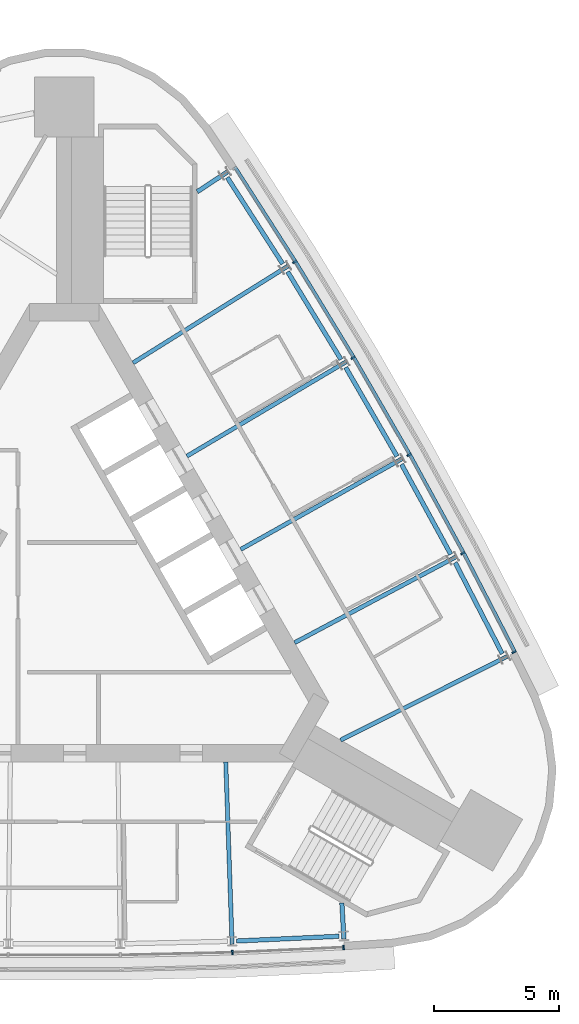
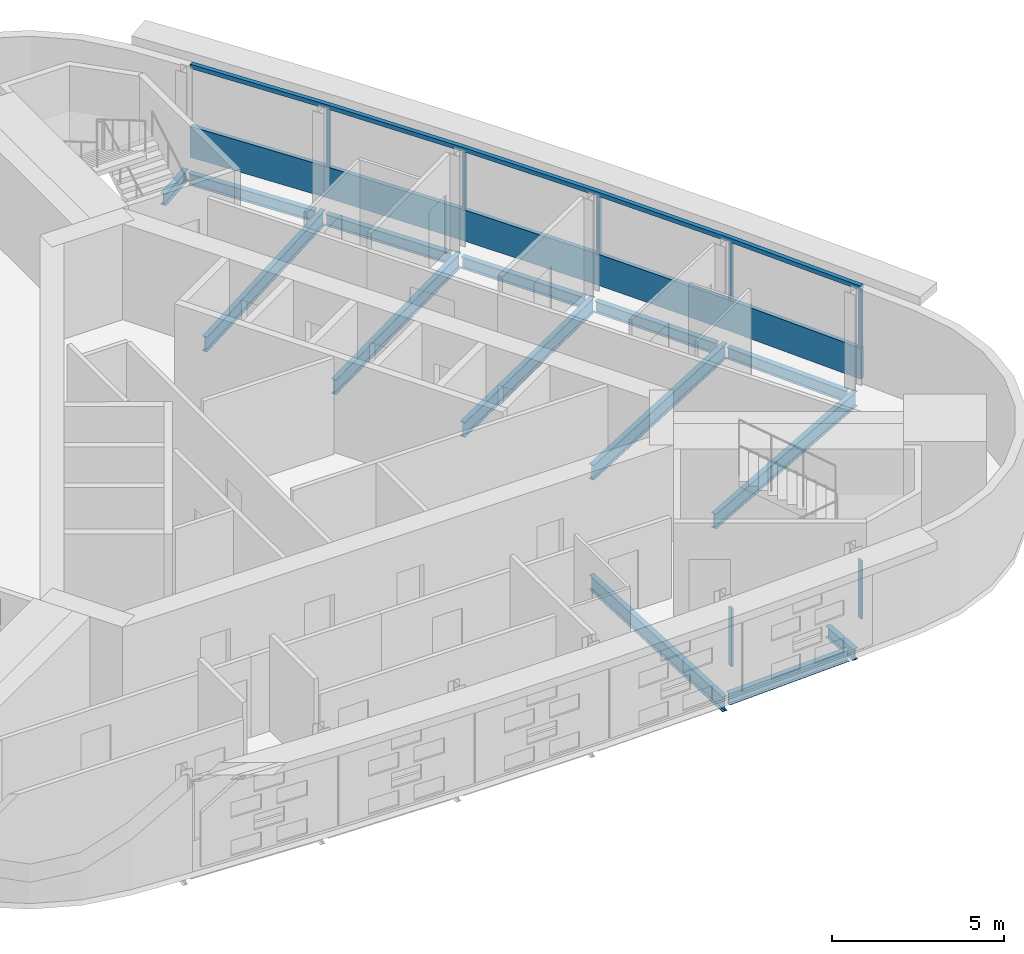
# One storey, part 6 of 13: 14 beams, 9 members, 2 elements without a shape of their own.
"""IFC4 building model written with IfcOpenShell, lengths in metres."""

from ifc_helpers import new_model, si_unit, direction, frame, origin, origin_2d, place, context, subcontext, project, spatial, polyline, rectangle, i_section, outline, extrude, material, material_profile, profile_set, type_object, element, aggregate, save


model = new_model("IFC4")

# Units and contexts
model_context = context("Model", 3, precision=1e-05, world=origin(), true_north=direction((0.0, 1.0)))
body_context = subcontext(model_context, "Body", "Model", "MODEL_VIEW")
ifc_project = project(units=[si_unit("LENGTHUNIT", "METRE"), si_unit("AREAUNIT", "SQUARE_METRE"), si_unit("VOLUMEUNIT", "CUBIC_METRE"), si_unit("PLANEANGLEUNIT", "RADIAN"), si_unit("MASSUNIT", "GRAM", prefix="KILO")], contexts=[model_context])

# Site, building, storey
site_placement = place(None, origin())
site = spatial("IfcSite", under=ifc_project, at=site_placement, CompositionType="ELEMENT")
building_placement = place(site_placement, origin())
building = spatial("IfcBuilding", under=site, at=building_placement, Name="Noor Cloister Tower", CompositionType="ELEMENT")
storey_placement = place(building_placement, frame((0.0, 0.0, 270.60009765625)))
storey = spatial("IfcBuildingStorey", under=building, at=storey_placement, Name="L69", CompositionType="ELEMENT", Elevation=270.60009765625)

# Curtain wall, member
ifc_material_1 = material(Name="Aluminium 6063-T6 anodised", Category="aluminium")
curtain_wall_type = type_object("IfcCurtainWallType", Name="Ribbon curtain wall, upper tower CW5", PredefinedType="NOTDEFINED", material=ifc_material_1)
curtain_wall_1_placement = place(storey_placement, origin())
curtain_wall_1 = element("IfcCurtainWall", 1, at=curtain_wall_1_placement, inside=storey, type_object=curtain_wall_type, Name="CW5 L69 NE run 4", PredefinedType="NOTDEFINED")
ifc_material_2 = material(Name="Aluminium 6063-T6 anodised", Category="aluminium")
member_type_1 = type_object("IfcMemberType", Name="Head transom CW5 150", PredefinedType="USERDEFINED", material=ifc_material_2)
member_1_placement = place(storey_placement, frame((0.0, 0.0, 3.14990234375)))
member_1 = element("IfcMember", 2, at=member_1_placement, type_object=member_type_1, Name="CW5 head transom", ObjectType="TRANSOM", PredefinedType="USERDEFINED", context=body_context, shape_type="SweptSolid", body=[
    extrude(outline(polyline([(18.14501953125, -2.507080078125), (16.078125, 1.489990234375), (13.919189453125, 5.438232421875), (11.669189453125, 9.335205078125), (9.32958984375, 13.178955078125), (6.9013671875, 16.967529296875), (6.783447265625, 16.89208984375), (9.210693359375, 13.10498046875), (11.548828125, 9.263916015625), (13.797119140625, 5.36962890625), (15.95458984375, 1.42431640625), (18.0205078125, -2.5712890625), (18.14501953125, -2.507080078125)])), origin(), (0.0, 0.0, 1.0), 0.14990234375),
])

# Curtain wall, members
curtain_wall_2_placement = place(storey_placement, origin())
curtain_wall_2 = element("IfcCurtainWall", 3, at=curtain_wall_2_placement, inside=storey, type_object=curtain_wall_type, Name="CW5 L69 S run 3", PredefinedType="NOTDEFINED")
ifc_material_3 = material(Name="Aluminium 6063-T6 anodised", Category="aluminium")
ifc_material_profile_1 = material_profile(ifc_material_3, rectangle(XDim=0.179931640625, YDim=0.070068359375, at=origin_2d()), Name="180 x 70 mullion")
ifc_profile_set_1 = profile_set([ifc_material_profile_1], Name="Aluminium 6063-T6 anodised")
member_type_2 = type_object("IfcMemberType", Name="Mullion CW5 70 x 180", PredefinedType="MULLION", material=ifc_profile_set_1)
member_2_placement = place(storey_placement, frame((6.7451171875, -14.569091796875, 1.099853515625), z_axis=(0.0, 0.0, 1.0), x_axis=(-0.034781531747, 0.999394939476, 0.0)))
member_2 = element("IfcMember", 4, at=member_2_placement, type_object=member_type_2, Name="CW5 mullion 5", PredefinedType="MULLION", context=body_context, shape_type="SweptSolid", body=[
    extrude(rectangle(XDim=0.179931640625, YDim=0.070068359375, at=origin_2d()), origin(), (0.0, 0.0, 1.0), 2.050048828125),
])
member_3_placement = place(storey_placement, frame((11.2041015625, -14.3623046875, 1.099853515625), z_axis=(0.0, 0.0, 1.0), x_axis=(-0.046368111516, 0.998924420682, 0.0)))
member_3 = element("IfcMember", 5, at=member_3_placement, type_object=member_type_2, Name="CW5 mullion 6", PredefinedType="MULLION", context=body_context, shape_type="SweptSolid", body=[
    extrude(rectangle(XDim=0.179931640625, YDim=0.070068359375, at=origin_2d()), origin(), (0.0, 0.0, 1.0), 2.050048828125),
])
aggregate(curtain_wall_2, [member_2, member_3])

# Member
member_4_placement = place(storey_placement, frame((18.0400390625, -2.52197265625, 1.099853515625), z_axis=(0.0, 0.0, 1.0), x_axis=(-0.888277980529, -0.459306247842, 0.0)))
member_4 = element("IfcMember", 6, at=member_4_placement, type_object=member_type_2, Name="CW5 mullion 1", PredefinedType="MULLION", context=body_context, shape_type="SweptSolid", body=[
    extrude(rectangle(XDim=0.179931640625, YDim=0.070068359375, at=origin_2d()), origin(), (0.0, 0.0, 1.0), 2.050048828125),
])

member_5_placement = place(storey_placement, frame((15.98974609375, 1.443115234375, 1.099853515625), z_axis=(0.0, 0.0, 1.0), x_axis=(-0.882892171873, -0.469575779662, 0.0)))
member_5 = element("IfcMember", 7, at=member_5_placement, type_object=member_type_2, Name="CW5 mullion 2", PredefinedType="MULLION", context=body_context, shape_type="SweptSolid", body=[
    extrude(rectangle(XDim=0.179931640625, YDim=0.070068359375, at=origin_2d()), origin(), (0.0, 0.0, 1.0), 2.050048828125),
])

member_6_placement = place(storey_placement, frame((13.83203125, 5.38916015625, 1.099853515625), z_axis=(0.0, 0.0, 1.0), x_axis=(-0.871765135197, -0.489924023758, 0.0)))
member_6 = element("IfcMember", 8, at=member_6_placement, type_object=member_type_2, Name="CW5 mullion 3", PredefinedType="MULLION", context=body_context, shape_type="SweptSolid", body=[
    extrude(rectangle(XDim=0.179931640625, YDim=0.070068359375, at=origin_2d()), origin(), (0.0, 0.0, 1.0), 2.050048828125),
])

member_7_placement = place(storey_placement, frame((11.583251953125, 9.2841796875, 1.099853515625), z_axis=(0.0, 0.0, 1.0), x_axis=(-0.860169218097, -0.510008741335, 0.0)))
member_7 = element("IfcMember", 9, at=member_7_placement, type_object=member_type_2, Name="CW5 mullion 4", PredefinedType="MULLION", context=body_context, shape_type="SweptSolid", body=[
    extrude(rectangle(XDim=0.179931640625, YDim=0.070068359375, at=origin_2d()), origin(), (0.0, 0.0, 1.0), 2.050048828125),
])

member_8_placement = place(storey_placement, frame((9.24462890625, 13.1259765625, 1.099853515625), z_axis=(0.0, 0.0, 1.0), x_axis=(-0.848110640126, -0.529819159813, 0.0)))
member_8 = element("IfcMember", 10, at=member_8_placement, type_object=member_type_2, Name="CW5 mullion 5", PredefinedType="MULLION", context=body_context, shape_type="SweptSolid", body=[
    extrude(rectangle(XDim=0.179931640625, YDim=0.070068359375, at=origin_2d()), origin(), (0.0, 0.0, 1.0), 2.050048828125),
])

# Beams
ifc_material_4 = material(Name="Steel ASTM A992 Gr 50", Category="steel")
ifc_material_profile_2 = material_profile(ifc_material_4, i_section(OverallWidth=0.177978515625, OverallDepth=0.406005859375, WebThickness=0.0078125, FlangeThickness=0.0126953125, FilletRadius=0.01025390625, at=origin_2d()), Name="W410x60")
ifc_profile_set_2 = profile_set([ifc_material_profile_2], Name="Steel ASTM A992 Gr 50")
beam_type_1 = type_object("IfcBeamType", Name="Radial beam W410x60", PredefinedType="BEAM", material=ifc_profile_set_2)
beam_1_placement = place(storey_placement, frame((11.21875, -14.03076171875, -0.403076171875), z_axis=(-0.058017998858, 0.998315537197, 0.0), x_axis=(-0.998315537197, -0.058017998858, 0.0)))
element("IfcBeam", 11, at=beam_1_placement, inside=storey, type_object=beam_type_1, Name="Radial beam S 06 L69", PredefinedType="BEAM", context=body_context, shape_type="SweptSolid", body=[
    extrude(i_section(OverallWidth=0.177978515625, OverallDepth=0.406005859375, WebThickness=0.0078125, FlangeThickness=0.0126953125, FilletRadius=0.01025390625, at=origin_2d()), origin(), (0.0, 0.0, 1.0), 1.443359375),
])
beam_2_placement = place(storey_placement, frame((6.54150390625, 16.73095703125, -0.403076171875), z_axis=(-0.835598976558, -0.54933992243, 0.0), x_axis=(0.54933992243, -0.835598976558, 0.0)))
element("IfcBeam", 12, at=beam_2_placement, inside=storey, type_object=beam_type_1, Name="Radial beam NE 06 L69", PredefinedType="BEAM", context=body_context, shape_type="SweptSolid", body=[
    extrude(i_section(OverallWidth=0.177978515625, OverallDepth=0.406005859375, WebThickness=0.0078125, FlangeThickness=0.0126953125, FilletRadius=0.01025390625, at=origin_2d()), origin(), (0.0, 0.0, 1.0), 1.443115234375),
])
ifc_material_5 = material(Name="Steel ASTM A992 Gr 50", Category="steel")
ifc_material_profile_3 = material_profile(ifc_material_5, i_section(OverallWidth=0.166015625, OverallDepth=0.528076171875, WebThickness=0.009765625, FlangeThickness=0.013671875, FilletRadius=0.0126953125, at=origin_2d()), Name="W530x74")
ifc_profile_set_3 = profile_set([ifc_material_profile_3], Name="Steel ASTM A992 Gr 50")
beam_type_2 = type_object("IfcBeamType", Name="Radial beam W530x74", PredefinedType="BEAM", material=ifc_profile_set_3)
beam_3_placement = place(storey_placement, frame((6.733642578125, -14.23876953125, -0.464111328125), z_axis=(-0.034777240267, 0.999395088821, 0.0), x_axis=(-0.999395088821, -0.034777240267, 0.0)))
element("IfcBeam", 13, at=beam_3_placement, inside=storey, type_object=beam_type_2, Name="Radial beam S 05 L69", PredefinedType="BEAM", context=body_context, shape_type="SweptSolid", body=[
    extrude(i_section(OverallWidth=0.166015625, OverallDepth=0.528076171875, WebThickness=0.009765625, FlangeThickness=0.013671875, FilletRadius=0.0126953125, at=origin_2d()), origin(), (0.0, 0.0, 1.0), 7.31494140625),
])
beam_4_placement = place(storey_placement, frame((17.76025390625, -2.700439453125, -0.464111328125), z_axis=(-0.893549510388, -0.448964667302, 0.0), x_axis=(0.448964667302, -0.893549510388, 0.0)))
element("IfcBeam", 14, at=beam_4_placement, inside=storey, type_object=beam_type_2, Name="Radial beam NE 01 L69", PredefinedType="BEAM", context=body_context, shape_type="SweptSolid", body=[
    extrude(i_section(OverallWidth=0.166015625, OverallDepth=0.528076171875, WebThickness=0.009765625, FlangeThickness=0.013671875, FilletRadius=0.0126953125, at=origin_2d()), origin(), (0.0, 0.0, 1.0), 7.469482421875),
])
beam_5_placement = place(storey_placement, frame((15.697998046875, 1.287841796875, -0.464111328125), z_axis=(-0.882903889785, -0.469553747085, 0.0), x_axis=(0.469553747085, -0.882903889785, 0.0)))
element("IfcBeam", 15, at=beam_5_placement, inside=storey, type_object=beam_type_2, Name="Radial beam NE 02 L69", PredefinedType="BEAM", context=body_context, shape_type="SweptSolid", body=[
    extrude(i_section(OverallWidth=0.166015625, OverallDepth=0.528076171875, WebThickness=0.009765625, FlangeThickness=0.013671875, FilletRadius=0.0126953125, at=origin_2d()), origin(), (0.0, 0.0, 1.0), 7.31494140625),
])
for number, where, z_axis, x_axis, name in (
    (16, (13.5439453125, 5.227294921875, -0.464111328125), (-0.871770669318, -0.489914176277, 0.0), (0.489914176277, -0.871770669318, 0.0), "Radial beam NE 03 L69"),
    (17, (11.298828125, 9.11572265625, -0.464111328125), (-0.860162619342, -0.510019870482, 0.0), (0.510019870482, -0.860162619342, 0.0), "Radial beam NE 04 L69"),
):
    element("IfcBeam", number, at=place(storey_placement, frame(where, z_axis=z_axis, x_axis=x_axis)), inside=storey, type_object=beam_type_2, Name=name, PredefinedType="BEAM", context=body_context, shape_type="SweptSolid", body=[
        extrude(i_section(OverallWidth=0.166015625, OverallDepth=0.528076171875, WebThickness=0.009765625, FlangeThickness=0.013671875, FilletRadius=0.0126953125, at=origin_2d()), origin(), (0.0, 0.0, 1.0), 7.415283203125),
    ])
beam_6_placement = place(storey_placement, frame((8.96435546875, 12.950927734375, -0.464111328125), z_axis=(-0.848101414082, -0.529833928163, 0.0), x_axis=(0.529833928163, -0.848101414082, 0.0)))
element("IfcBeam", 18, at=beam_6_placement, inside=storey, type_object=beam_type_2, Name="Radial beam NE 05 L69", PredefinedType="BEAM", context=body_context, shape_type="SweptSolid", body=[
    extrude(i_section(OverallWidth=0.166015625, OverallDepth=0.528076171875, WebThickness=0.009765625, FlangeThickness=0.013671875, FilletRadius=0.0126953125, at=origin_2d()), origin(), (0.0, 0.0, 1.0), 7.31494140625),
])

# Member
ifc_material_6 = material(Name="Aluminium 6063-T6 anodised", Category="aluminium")
member_type_3 = type_object("IfcMemberType", Name="Sill transom CW5 1100", PredefinedType="USERDEFINED", material=ifc_material_6)
member_9_placement = place(storey_placement, origin())
member_9 = element("IfcMember", 19, at=member_9_placement, type_object=member_type_3, Name="CW5 sill transom", ObjectType="TRANSOM", PredefinedType="USERDEFINED", context=body_context, shape_type="SweptSolid", body=[
    extrude(outline(polyline([(18.14501953125, -2.507080078125), (16.078125, 1.489990234375), (13.919189453125, 5.438232421875), (11.669189453125, 9.335205078125), (9.32958984375, 13.178955078125), (6.9013671875, 16.967529296875), (6.783447265625, 16.89208984375), (9.210693359375, 13.10498046875), (11.548828125, 9.263916015625), (13.797119140625, 5.36962890625), (15.95458984375, 1.42431640625), (18.0205078125, -2.5712890625), (18.14501953125, -2.507080078125)])), origin(), (0.0, 0.0, 1.0), 1.099853515625),
])

aggregate(curtain_wall_1, [member_4, member_5, member_6, member_7, member_8, member_9, member_1])

# Beams
ifc_material_7 = material(Name="Steel ASTM A992 Gr 50", Category="steel")
ifc_material_profile_4 = material_profile(ifc_material_7, i_section(OverallWidth=0.177978515625, OverallDepth=0.406005859375, WebThickness=0.0078125, FlangeThickness=0.0126953125, FilletRadius=0.01025390625, at=origin_2d()), Name="W410x60")
ifc_profile_set_4 = profile_set([ifc_material_profile_4], Name="Steel ASTM A992 Gr 50")
beam_type_3 = type_object("IfcBeamType", Name="Spandrel beam W410x60", PredefinedType="SPANDREL", material=ifc_profile_set_4)
beam_7_placement = place(storey_placement, frame((6.914794921875, -14.11083984375, -0.403076171875), z_axis=(0.998923795857, 0.046381570381, 0.0), x_axis=(-0.046381570381, 0.998923795857, 0.0)))
element("IfcBeam", 20, at=beam_7_placement, inside=storey, type_object=beam_type_3, Name="Spandrel beam S 05 L69", PredefinedType="SPANDREL", context=body_context, shape_type="SweptSolid", body=[
    extrude(i_section(OverallWidth=0.177978515625, OverallDepth=0.406005859375, WebThickness=0.0078125, FlangeThickness=0.0126953125, FilletRadius=0.01025390625, at=origin_2d()), origin(), (0.0, 0.0, 1.0), 4.1162109375),
])
beam_8_placement = place(storey_placement, frame((17.568359375, -2.58935546875, -0.403076171875), z_axis=(-0.459295448048, 0.888283564749, 0.0), x_axis=(-0.888283564749, -0.459295448048, 0.0)))
element("IfcBeam", 21, at=beam_8_placement, inside=storey, type_object=beam_type_3, Name="Spandrel beam NE 01 L69", PredefinedType="SPANDREL", context=body_context, shape_type="SweptSolid", body=[
    extrude(i_section(OverallWidth=0.177978515625, OverallDepth=0.406005859375, WebThickness=0.0078125, FlangeThickness=0.0126953125, FilletRadius=0.01025390625, at=origin_2d()), origin(), (0.0, 0.0, 1.0), 4.116455078125),
])
for number, where, z_axis, x_axis, name in (
    (22, (15.503662109375, 1.39453125, -0.403076171875), (-0.479770251557, 0.87739415642, 0.0), (-0.87739415642, -0.479770251557, 0.0), "Spandrel beam NE 02 L69"),
    (23, (13.346923828125, 5.329345703125, -0.403076171875), (-0.500004836318, 0.866022611517, 0.0), (-0.866022611517, -0.500004836318, 0.0), "Spandrel beam NE 03 L69"),
    (24, (11.099609375, 9.213134765625, -0.403076171875), (-0.51992813058, 0.85421000874, 0.0), (-0.85421000874, -0.51992813058, 0.0), "Spandrel beam NE 04 L69"),
    (25, (8.762939453125, 13.0439453125, -0.403076171875), (-0.539635932385, 0.841898485851, 0.0), (-0.841898485851, -0.539635932385, 0.0), "Spandrel beam NE 05 L69"),
):
    element("IfcBeam", number, at=place(storey_placement, frame(where, z_axis=z_axis, x_axis=x_axis)), inside=storey, type_object=beam_type_3, Name=name, PredefinedType="SPANDREL", context=body_context, shape_type="SweptSolid", body=[
        extrude(i_section(OverallWidth=0.177978515625, OverallDepth=0.406005859375, WebThickness=0.0078125, FlangeThickness=0.0126953125, FilletRadius=0.01025390625, at=origin_2d()), origin(), (0.0, 0.0, 1.0), 4.1162109375),
    ])

save(model, "model.ifc")
